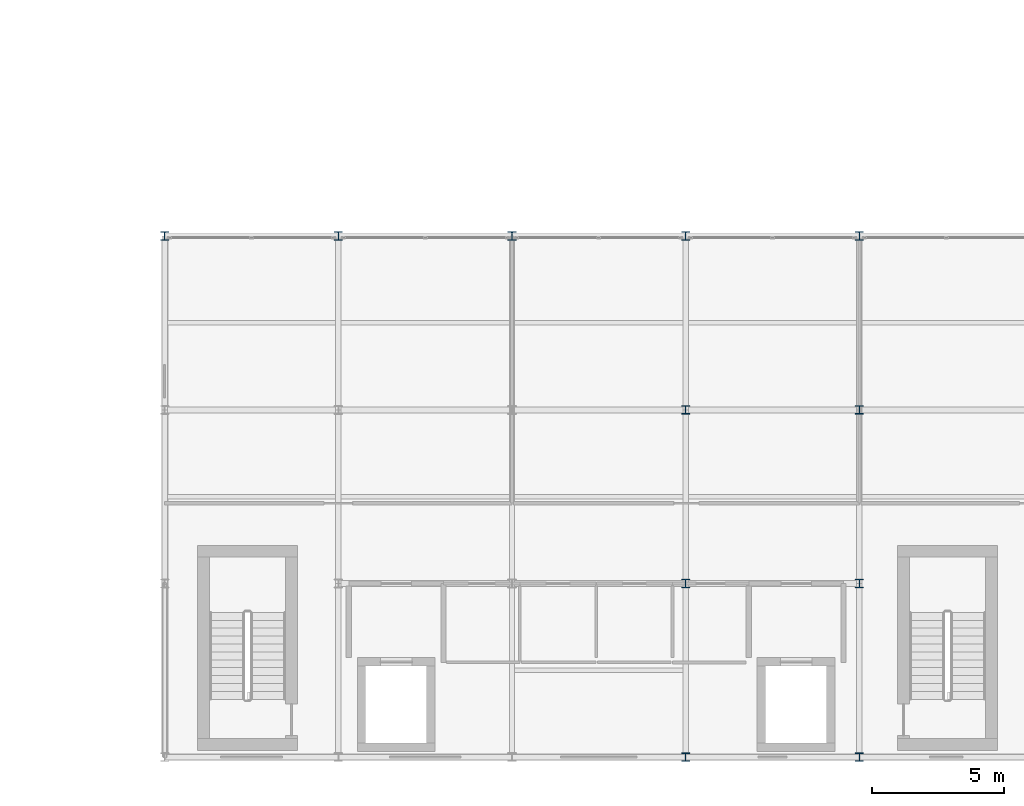
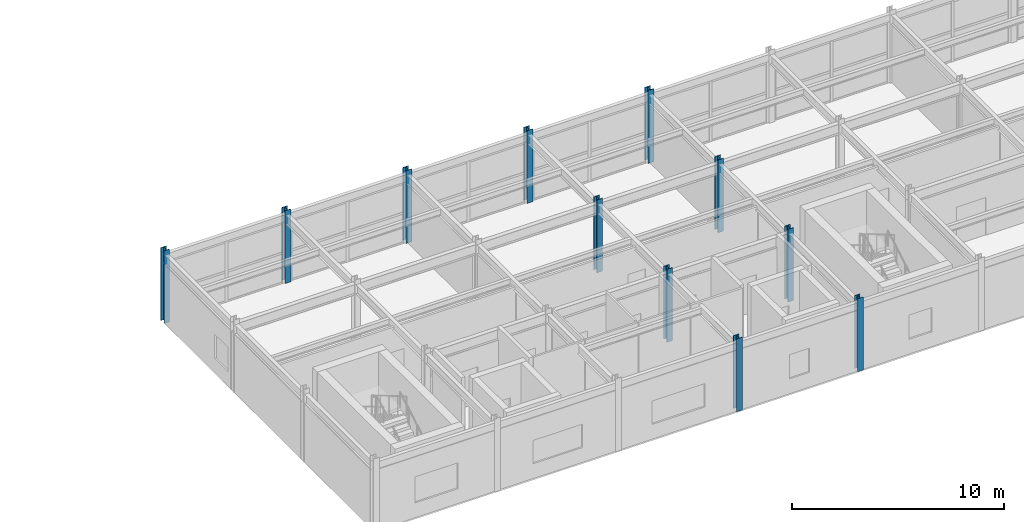
# One storey, part 5 of 106: 11 columns.
"""IFC4 building model written with IfcOpenShell, lengths in metres."""

from ifc_helpers import new_model, si_unit, direction, frame, origin, origin_2d, place, context, subcontext, project, spatial, i_section, extrude, material, material_profile, profile_set, type_object, element, save


model = new_model("IFC4")

# Units and contexts
model_context = context("Model", 3, precision=1e-05, world=origin(), true_north=direction((0.0, 1.0)))
body_context = subcontext(model_context, "Body", "Model", "MODEL_VIEW")
ifc_project = project(units=[si_unit("LENGTHUNIT", "METRE"), si_unit("AREAUNIT", "SQUARE_METRE"), si_unit("VOLUMEUNIT", "CUBIC_METRE"), si_unit("PLANEANGLEUNIT", "RADIAN"), si_unit("MASSUNIT", "GRAM", prefix="KILO")], contexts=[model_context])

# Site, building, storey
site_placement = place(None, origin())
site = spatial("IfcSite", under=ifc_project, at=site_placement, CompositionType="ELEMENT")
building_placement = place(site_placement, origin())
building = spatial("IfcBuilding", under=site, at=building_placement, Name="Karori Crest Natural Sciences Institute", CompositionType="ELEMENT")
storey_placement = place(building_placement, frame((0.0, 0.0, 25.89990234375)))
storey = spatial("IfcBuildingStorey", under=building, at=storey_placement, Name="L06", CompositionType="ELEMENT", Elevation=25.89990234375)

# Columns
ifc_material = material(Name="Structural steel AS/NZS 3679.1 Grade 350", Category="steel")
ifc_material_profile_1 = material_profile(ifc_material, i_section(OverallWidth=0.31103515625, OverallDepth=0.326904296875, WebThickness=0.015625, FlangeThickness=0.02490234375, FilletRadius=0.01708984375, at=origin_2d()), Name="310UC158")
ifc_profile_set_1 = profile_set([ifc_material_profile_1], Name="Structural steel AS/NZS 3679.1 Grade 350")
column_type_1 = type_object("IfcColumnType", Name="CT-04", PredefinedType="COLUMN", material=ifc_profile_set_1)
for number, where, z_axis, x_axis, name in (
    (1, (103.60009765625, 20.60009765625, 0.0), (0.0, 0.0, 1.0), (1.0, 0.0, 0.0), "Column C-1060"),
    (2, (110.199951171875, 20.60009765625, 0.0), (0.0, 0.0, 1.0), (1.0, 0.0, 0.0), "Column C-1108"),
    (3, (116.800048828125, 20.60009765625, 0.0), (0.0, 0.0, 1.0), (1.0, 0.0, 0.0), "Column C-1156"),
    (4, (123.39990234375, 0.800048828125, 0.0), (0.0, 0.0, 1.0), (1.0, 0.0, 0.0), "Column C-1168"),
    (5, (123.39990234375, 20.60009765625, 0.0), (0.0, 0.0, 1.0), (1.0, 0.0, 0.0), "Column C-1204"),
    (6, (130.0, 0.800048828125, 0.0), (0.0, 0.0, 1.0), (1.0, 0.0, 0.0), "Column C-1216"),
    (7, (130.0, 20.60009765625, 0.0), (0.0, 0.0, 1.0), (1.0, 0.0, 0.0), "Column C-1252"),
):
    element("IfcColumn", number, at=place(storey_placement, frame(where, z_axis=z_axis, x_axis=x_axis)), inside=storey, type_object=column_type_1, Name=name, PredefinedType="COLUMN", context=body_context, shape_type="SweptSolid", body=[
        extrude(i_section(OverallWidth=0.31103515625, OverallDepth=0.326904296875, WebThickness=0.015625, FlangeThickness=0.02490234375, FilletRadius=0.01708984375, at=origin_2d()), origin(), (0.0, 0.0, 1.0), 4.2001953125),
    ])
ifc_material_profile_2 = material_profile(ifc_material, i_section(OverallWidth=0.31103515625, OverallDepth=0.326904296875, WebThickness=0.015625, FlangeThickness=0.02490234375, FilletRadius=0.01708984375, at=origin_2d()), Name="310UC158")
ifc_profile_set_2 = profile_set([ifc_material_profile_2], Name="Structural steel AS/NZS 3679.1 Grade 350")
column_type_2 = type_object("IfcColumnType", Name="CT-04-IL", PredefinedType="COLUMN", material=ifc_profile_set_2)
for number, where, z_axis, x_axis, name in (
    (8, (123.39990234375, 7.39990234375, 0.0), (0.0, 0.0, 1.0), (1.0, 0.0, 0.0), "Column C-1180"),
    (9, (123.39990234375, 14.0, 0.0), (0.0, 0.0, 1.0), (1.0, 0.0, 0.0), "Column C-1192"),
    (10, (130.0, 7.39990234375, 0.0), (0.0, 0.0, 1.0), (1.0, 0.0, 0.0), "Column C-1228"),
    (11, (130.0, 14.0, 0.0), (0.0, 0.0, 1.0), (1.0, 0.0, 0.0), "Column C-1240"),
):
    element("IfcColumn", number, at=place(storey_placement, frame(where, z_axis=z_axis, x_axis=x_axis)), inside=storey, type_object=column_type_2, Name=name, PredefinedType="COLUMN", context=body_context, shape_type="SweptSolid", body=[
        extrude(i_section(OverallWidth=0.31103515625, OverallDepth=0.326904296875, WebThickness=0.015625, FlangeThickness=0.02490234375, FilletRadius=0.01708984375, at=origin_2d()), origin(), (0.0, 0.0, 1.0), 4.2001953125),
    ])

save(model, "model.ifc")
